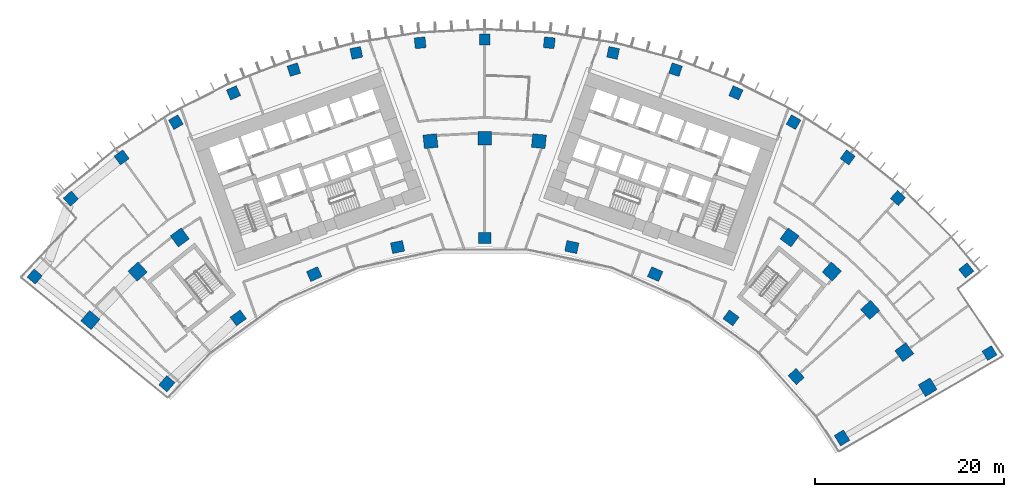
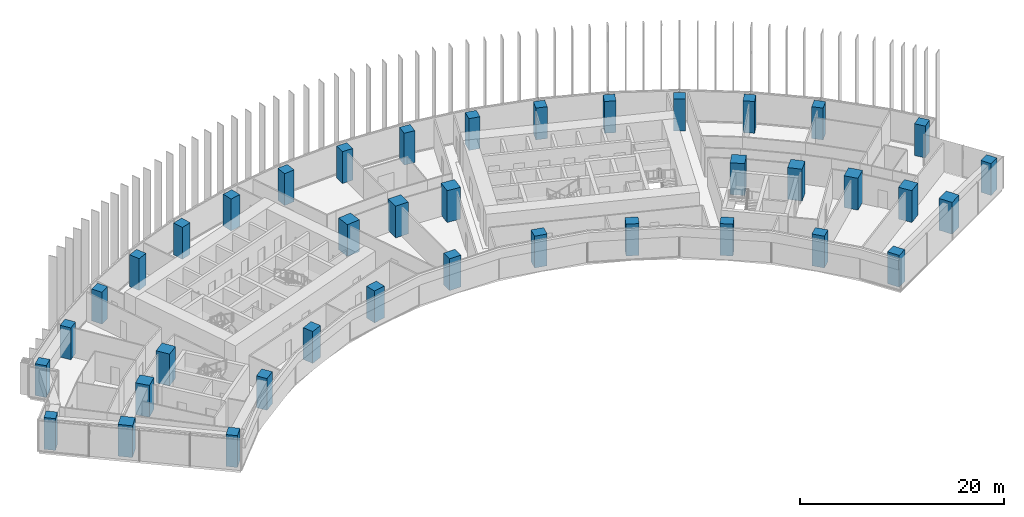
# One storey, part 1 of 22: 39 columns.
"""IFC4 building model written with IfcOpenShell, lengths in metres."""

from ifc_helpers import new_model, si_unit, direction, frame, origin, origin_2d, place, context, subcontext, project, spatial, rectangle, extrude, material, material_profile, profile_set, type_object, element, save


model = new_model("IFC4")

# Units and contexts
model_context = context("Model", 3, precision=1e-05, world=origin(), true_north=direction((0.0, 1.0)))
body_context = subcontext(model_context, "Body", "Model", "MODEL_VIEW")
ifc_project = project(units=[si_unit("LENGTHUNIT", "METRE"), si_unit("AREAUNIT", "SQUARE_METRE"), si_unit("VOLUMEUNIT", "CUBIC_METRE"), si_unit("PLANEANGLEUNIT", "RADIAN"), si_unit("MASSUNIT", "GRAM", prefix="KILO")], contexts=[model_context])

# Site, building, storey
site_placement = place(None, origin())
site = spatial("IfcSite", under=ifc_project, at=site_placement, CompositionType="ELEMENT")
building_placement = place(site_placement, origin())
building = spatial("IfcBuilding", under=site, at=building_placement, Name="Stone Belt Terrace Tower", CompositionType="ELEMENT")
storey_placement = place(building_placement, frame((0.0, 0.0, 109.800048828125)))
storey = spatial("IfcBuildingStorey", under=building, at=storey_placement, Name="L26", CompositionType="ELEMENT", Elevation=109.800048828125)

# Columns
ifc_material = material(Name="Concrete B80", Category="concrete")
ifc_material_profile_1 = material_profile(ifc_material, rectangle(XDim=1.14990234375, YDim=1.14990234375, at=origin_2d()), Name="RC 1150x1150")
ifc_profile_set_1 = profile_set([ifc_material_profile_1], Name="Concrete B80")
column_type_1 = type_object("IfcColumnType", Name="Column RC 1150x1150 B80", PredefinedType="COLUMN", material=ifc_profile_set_1)
for number, where, z_axis, x_axis, name in (
    (1, (-47.71826171875, 40.34619140625, 0.0), (0.0, 0.0, 1.0), (0.645656294153, 0.763628148918, 0.0), "Column L26 RA"),
    (2, (53.53662109375, 32.228515625, 0.0), (0.0, 0.0, 1.0), (0.515750011733, -0.856739123303, 0.0), "Column L26 RB"),
    (3, (-43.87939453125, 48.614501953125, 0.0), (0.0, 0.0, 1.0), (0.742333790389, 0.67003025577, 0.0), "Column L26 RNA"),
    (4, (-38.493408203125, 52.981689453125, 0.0), (0.0, 0.0, 1.0), (0.809016994375, 0.587785252292, 0.0), "Column L26 R16"),
    (5, (-32.744384765625, 56.715087890625, 0.0), (0.0, 0.0, 1.0), (0.866025403784, 0.5, 0.0), "Column L26 R17"),
    (6, (-26.63671875, 59.8271484375, 0.0), (0.0, 0.0, 1.0), (0.913545457643, 0.406736643076, 0.0), "Column L26 R18"),
    (7, (-20.2373046875, 62.28369140625, 0.0), (0.0, 0.0, 1.0), (0.951056516295, 0.309016994375, 0.0), "Column L26 R19"),
    (8, (-13.615966796875, 64.057861328125, 0.0), (0.0, 0.0, 1.0), (0.978147600734, 0.207911690818, 0.0), "Column L26 R20"),
    (9, (-6.845458984375, 65.130126953125, 0.0), (0.0, 0.0, 1.0), (0.994521895368, 0.104528463268, 0.0), "Column L26 R21"),
    (10, (0.0, 65.489013671875, 0.0), (0.0, 0.0, 1.0), (1.0, 0.0, 0.0), "Column L26 R22"),
    (11, (6.845458984375, 65.130126953125, 0.0), (0.0, 0.0, 1.0), (0.994521895368, -0.104528463268, 0.0), "Column L26 R23"),
    (12, (13.615966796875, 64.057861328125, 0.0), (0.0, 0.0, 1.0), (0.978147600734, -0.207911690818, 0.0), "Column L26 R24"),
    (13, (20.2373046875, 62.28369140625, 0.0), (0.0, 0.0, 1.0), (0.951056516295, -0.309016994375, 0.0), "Column L26 R25"),
    (14, (26.63671875, 59.8271484375, 0.0), (0.0, 0.0, 1.0), (0.913545457643, -0.406736643076, 0.0), "Column L26 R26"),
    (15, (32.744384765625, 56.715087890625, 0.0), (0.0, 0.0, 1.0), (0.866025403784, -0.5, 0.0), "Column L26 R27"),
    (16, (38.493408203125, 52.981689453125, 0.0), (0.0, 0.0, 1.0), (0.809016994375, -0.587785252292, 0.0), "Column L26 R28"),
    (17, (43.820556640625, 48.667724609375, 0.0), (0.0, 0.0, 1.0), (0.743144825477, -0.669130606359, 0.0), "Column L26 R29"),
    (18, (51.064208984375, 41.002685546875, 0.0), (0.0, 0.0, 1.0), (0.626104488961, -0.779739167224, 0.0), "Column L26 RNB"),
):
    element("IfcColumn", number, at=place(storey_placement, frame(where, z_axis=z_axis, x_axis=x_axis)), inside=storey, type_object=column_type_1, Name=name, PredefinedType="COLUMN", context=body_context, shape_type="SweptSolid", body=[
        extrude(rectangle(XDim=1.14990234375, YDim=1.14990234375, at=origin_2d()), origin(), (0.0, 0.0, 1.0), 3.800048828125),
    ])
ifc_material_profile_2 = material_profile(ifc_material, rectangle(XDim=1.300048828125, YDim=1.14990234375, at=origin_2d()), Name="RC 1300x1150")
ifc_profile_set_2 = profile_set([ifc_material_profile_2], Name="Concrete B80")
column_type_2 = type_object("IfcColumnType", Name="Column RC 1300x1150 B80", PredefinedType="COLUMN", material=ifc_profile_set_2)
for number, where, z_axis, x_axis, name in (
    (19, (-33.7021484375, 28.974365234375, 0.0), (0.0, 0.0, 1.0), (0.651917107608, 0.758290237843, 0.0), "Column L26 PA"),
    (20, (-26.1240234375, 35.956787109375, 0.0), (0.0, 0.0, 1.0), (0.809016994375, 0.587785252292, 0.0), "Column L26 P16"),
    (21, (-18.077392578125, 40.6025390625, 0.0), (0.0, 0.0, 1.0), (0.913545457643, 0.406736643076, 0.0), "Column L26 P18"),
    (22, (-9.240478515625, 43.473876953125, 0.0), (0.0, 0.0, 1.0), (0.978147600734, 0.207911690818, 0.0), "Column L26 P20"),
    (23, (0.0, 44.445068359375, 0.0), (0.0, 0.0, 1.0), (1.0, 0.0, 0.0), "Column L26 P22"),
    (24, (9.240478515625, 43.473876953125, 0.0), (0.0, 0.0, 1.0), (0.978147600734, -0.207911690818, 0.0), "Column L26 P24"),
    (25, (18.077392578125, 40.6025390625, 0.0), (0.0, 0.0, 1.0), (0.913545457643, -0.406736643076, 0.0), "Column L26 P26"),
    (26, (26.1240234375, 35.956787109375, 0.0), (0.0, 0.0, 1.0), (0.809016994375, -0.587785252292, 0.0), "Column L26 P28"),
    (27, (33.029052734375, 29.739501953125, 0.0), (0.0, 0.0, 1.0), (0.669130606359, -0.743144825477, 0.0), "Column L26 P30"),
    (28, (37.887939453125, 23.235107421875, 0.0), (0.0, 0.0, 1.0), (0.522781282168, -0.852466850391, 0.0), "Column L26 PB"),
):
    element("IfcColumn", number, at=place(storey_placement, frame(where, z_axis=z_axis, x_axis=x_axis)), inside=storey, type_object=column_type_2, Name=name, PredefinedType="COLUMN", context=body_context, shape_type="SweptSolid", body=[
        extrude(rectangle(XDim=1.300048828125, YDim=1.14990234375, at=origin_2d()), origin(), (0.0, 0.0, 1.0), 3.800048828125),
    ])
ifc_material_profile_3 = material_profile(ifc_material, rectangle(XDim=1.449951171875, YDim=1.449951171875, at=origin_2d()), Name="RC 1450x1450")
ifc_profile_set_3 = profile_set([ifc_material_profile_3], Name="Concrete B80")
column_type_3 = type_object("IfcColumnType", Name="Column RC 1450x1450 B80", PredefinedType="COLUMN", material=ifc_profile_set_3)
for number, where, z_axis, x_axis, name in (
    (29, (-41.814697265625, 35.728515625, 0.0), (0.0, 0.0, 1.0), (0.649608620058, 0.760268795063, 0.0), "Column L26 QA"),
    (30, (-36.80224609375, 40.873046875, 0.0), (0.0, 0.0, 1.0), (0.743144825477, 0.669130606359, 0.0), "Column L26 Q15"),
    (31, (-32.328125, 44.495849609375, 0.0), (0.0, 0.0, 1.0), (0.809016994375, 0.587785252292, 0.0), "Column L26 Q16"),
    (32, (-5.7490234375, 54.69873046875, 0.0), (0.0, 0.0, 1.0), (0.994521895368, 0.104528463268, 0.0), "Column L26 Q21"),
    (33, (0.0, 55.0, 0.0), (0.0, 0.0, 1.0), (1.0, 0.0, 0.0), "Column L26 Q22"),
    (34, (5.7490234375, 54.69873046875, 0.0), (0.0, 0.0, 1.0), (0.994521895368, -0.104528463268, 0.0), "Column L26 Q23"),
    (35, (32.328125, 44.495849609375, 0.0), (0.0, 0.0, 1.0), (0.809016994375, -0.587785252292, 0.0), "Column L26 Q28"),
    (36, (36.80224609375, 40.873046875, 0.0), (0.0, 0.0, 1.0), (0.743144825477, -0.669130606359, 0.0), "Column L26 Q29"),
    (37, (40.873046875, 36.80224609375, 0.0), (0.0, 0.0, 1.0), (0.669130606359, -0.743144825477, 0.0), "Column L26 Q30"),
    (38, (44.495849609375, 32.328125, 0.0), (0.0, 0.0, 1.0), (0.587785252292, -0.809016994375, 0.0), "Column L26 Q31"),
    (39, (46.972900390625, 28.610107421875, 0.0), (0.0, 0.0, 1.0), (0.520185570168, -0.854053260979, 0.0), "Column L26 QB"),
):
    element("IfcColumn", number, at=place(storey_placement, frame(where, z_axis=z_axis, x_axis=x_axis)), inside=storey, type_object=column_type_3, Name=name, PredefinedType="COLUMN", context=body_context, shape_type="SweptSolid", body=[
        extrude(rectangle(XDim=1.449951171875, YDim=1.449951171875, at=origin_2d()), origin(), (0.0, 0.0, 1.0), 3.800048828125),
    ])

save(model, "model.ifc")
